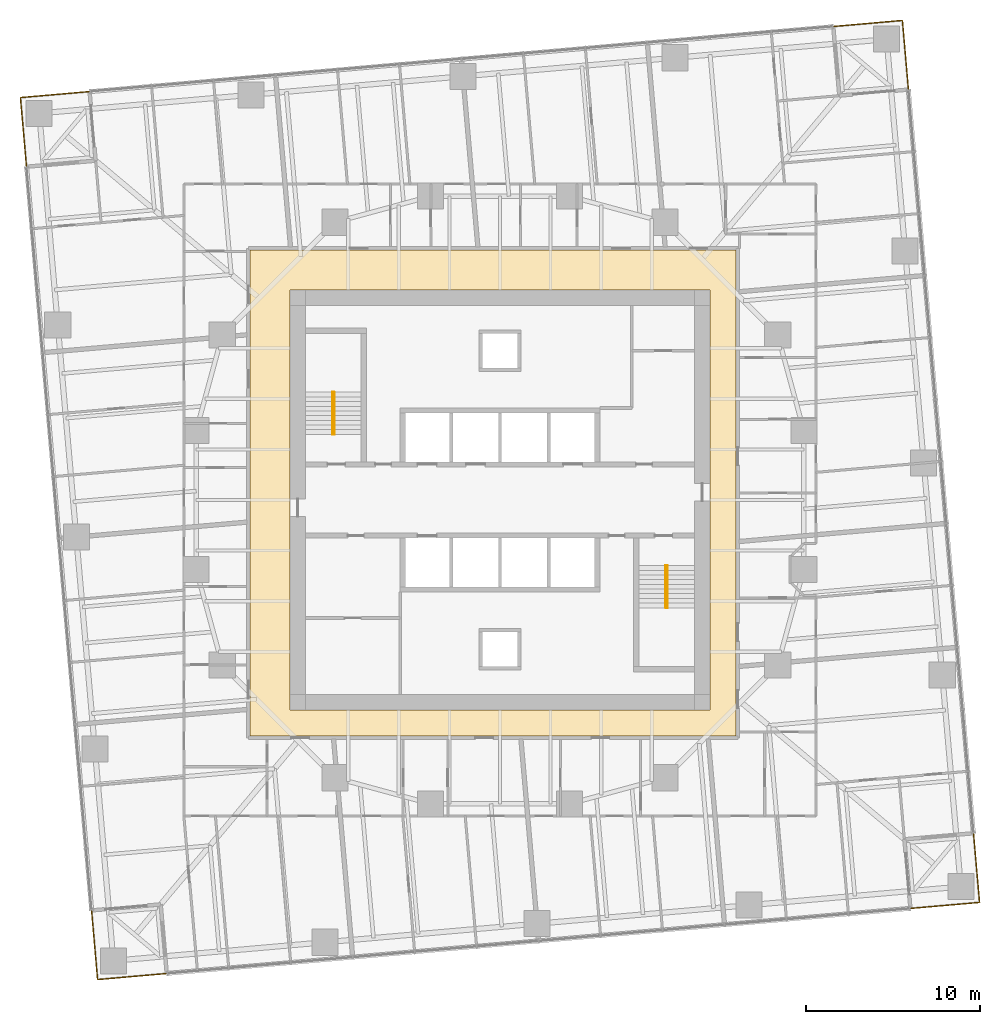
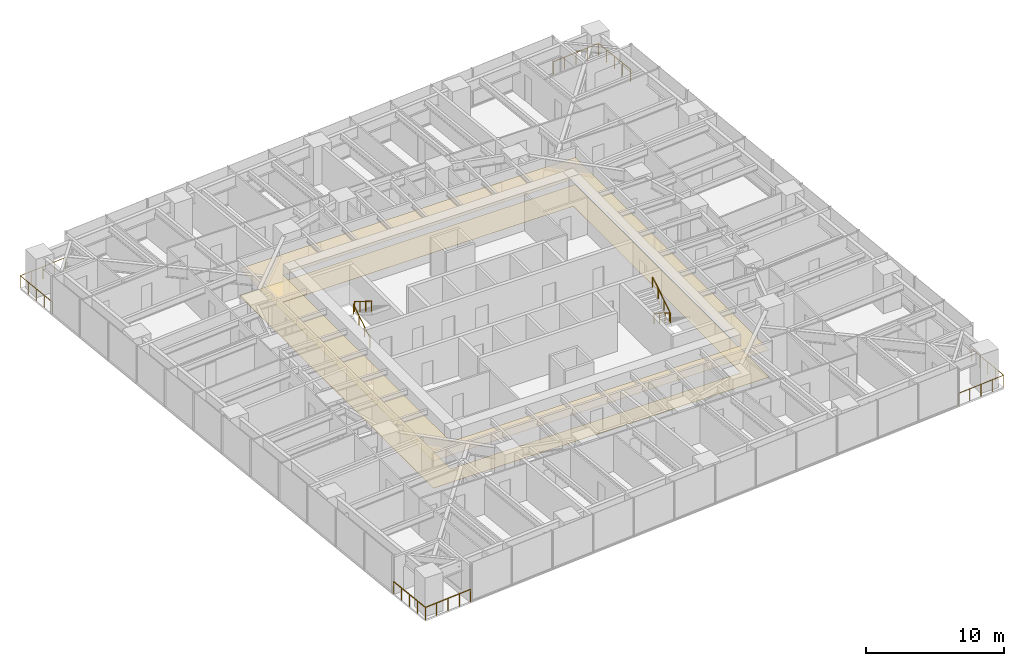
# One storey, part 14 of 14: 8 railings, 2 coverings, 2 elements without a shape of their own.
"""IFC4 building model written with IfcOpenShell, lengths in metres."""

from ifc_helpers import new_model, si_unit, direction, frame, origin, origin_2d, place, context, subcontext, project, spatial, polyline, circle, outline, extrude, material, layer, layer_set, type_object, element, aggregate, save


model = new_model("IFC4")

# Units and contexts
model_context = context("Model", 3, precision=1e-05, world=origin(), true_north=direction((0.0, 1.0)))
body_context = subcontext(model_context, "Body", "Model", "MODEL_VIEW")
ifc_project = project(units=[si_unit("LENGTHUNIT", "METRE"), si_unit("AREAUNIT", "SQUARE_METRE"), si_unit("VOLUMEUNIT", "CUBIC_METRE"), si_unit("PLANEANGLEUNIT", "RADIAN"), si_unit("MASSUNIT", "GRAM", prefix="KILO")], contexts=[model_context])

# Site, building, storey
site_placement = place(None, origin())
site = spatial("IfcSite", under=ifc_project, at=site_placement, CompositionType="ELEMENT")
building_placement = place(site_placement, origin())
building = spatial("IfcBuilding", under=site, at=building_placement, Name="Torsade Residences", CompositionType="ELEMENT")
storey_placement = place(building_placement, frame((0.0, 0.0, 67.60009765625)))
storey = spatial("IfcBuildingStorey", under=building, at=storey_placement, Name="L18", CompositionType="ELEMENT", Elevation=67.60009765625)

# Coverings
ifc_material_1 = material(Name="Nylon carpet tile on underlay", Category="textile")
ifc_layer_1 = layer(ifc_material_1, 0.010009765625)
ifc_layer_set_1 = layer_set([ifc_layer_1], Name="Nylon carpet tile on underlay")
covering_type_1 = type_object("IfcCoveringType", Name="CORRIDOR CARPET TILE 10", PredefinedType="FLOORING", material=ifc_layer_set_1)
covering_1_placement = place(storey_placement, origin())
element("IfcCovering", 1, at=covering_1_placement, inside=storey, type_object=covering_type_1, Name="Corridor carpet L18", PredefinedType="FLOORING", context=body_context, shape_type="SweptSolid", body=[
    extrude(outline(polyline([(53.60009765625, 16.39990234375), (53.60009765625, 44.39990234375), (25.60009765625, 44.39990234375), (25.60009765625, 16.39990234375), (53.60009765625, 16.39990234375)]), holes=[polyline([(52.10009765625, 42.10009765625), (27.89990234375, 42.10009765625), (27.89990234375, 17.89990234375), (52.10009765625, 17.89990234375), (52.10009765625, 42.10009765625)])]), origin(), (0.0, 0.0, 1.0), 0.010009765625),
])
ifc_material_2 = material(Name="Plasterboard on suspended steel grid", Category="steel")
ifc_layer_2 = layer(ifc_material_2, 0.012939453125)
ifc_layer_set_2 = layer_set([ifc_layer_2], Name="Plasterboard on suspended steel grid")
covering_type_2 = type_object("IfcCoveringType", Name="CORRIDOR SUSPENDED CEILING 13", PredefinedType="CEILING", material=ifc_layer_set_2)
covering_2_placement = place(storey_placement, frame((0.0, 0.0, 2.39990234375)))
element("IfcCovering", 2, at=covering_2_placement, inside=storey, type_object=covering_type_2, Name="Corridor ceiling L18", PredefinedType="CEILING", context=body_context, shape_type="SweptSolid", body=[
    extrude(outline(polyline([(53.60009765625, 16.39990234375), (53.60009765625, 44.39990234375), (25.60009765625, 44.39990234375), (25.60009765625, 16.39990234375), (53.60009765625, 16.39990234375)]), holes=[polyline([(52.10009765625, 42.10009765625), (27.89990234375, 42.10009765625), (27.89990234375, 17.89990234375), (52.10009765625, 17.89990234375), (52.10009765625, 42.10009765625)])]), origin(), (0.0, 0.0, 1.0), 0.012939453125),
])

# Stair, railings
ifc_material_3 = material(Name="Precast concrete 40 MPa", Category="concrete")
stair_type = type_object("IfcStairType", Name="HALF-TURN FIRE STAIR 1500x3400", PredefinedType="HALF_TURN_STAIR", material=ifc_material_3)
stair_1_placement = place(storey_placement, origin())
stair_1 = element("IfcStair", 3, at=stair_1_placement, inside=storey, type_object=stair_type, Name="Stair ST1 L18", PredefinedType="HALF_TURN_STAIR")
ifc_material_4 = material(Name="Steel handrail", Category="steel")
railing_type_1 = type_object("IfcRailingType", Name="STAIR HANDRAIL 900", PredefinedType="HANDRAIL", material=ifc_material_4)
railing_1_placement = place(storey_placement, frame((30.35009765625, 33.780029296875, 0.169921875)))
railing_1 = element("IfcRailing", 4, at=railing_1_placement, type_object=railing_type_1, Name="Handrail ST1 flight 1 L18", PredefinedType="HANDRAIL", context=body_context, shape_type="SweptSolid", body=[
    extrude(circle(Radius=0.02392578125, at=origin_2d()), frame((0.0, 0.0, 0.8759765625), z_axis=(0.0, 0.846221481393, 0.532831309544), x_axis=(-1.0, 0.0, 0.0)), (0.0, 0.0, 1.0), 2.87158203125),
    extrude(circle(Radius=0.02099609375, at=origin_2d()), origin(), (0.0, 0.0, 1.0), 0.851806640625),
    extrude(circle(Radius=0.02099609375, at=origin_2d()), frame((0.0, 0.81005859375, 0.510009765625)), (0.0, 0.0, 1.0), 0.851806640625),
    extrude(circle(Radius=0.02099609375, at=origin_2d()), frame((0.0, 1.619873046875, 1.02001953125)), (0.0, 0.0, 1.0), 0.851806640625),
    extrude(circle(Radius=0.02099609375, at=origin_2d()), frame((0.0, 2.429931640625, 1.530029296875)), (0.0, 0.0, 1.0), 0.851806640625),
])
railing_2_placement = place(storey_placement, frame((30.449951171875, 36.2099609375, 1.869873046875)))
railing_2 = element("IfcRailing", 5, at=railing_2_placement, type_object=railing_type_1, Name="Handrail ST1 flight 2 L18", PredefinedType="HANDRAIL", context=body_context, shape_type="SweptSolid", body=[
    extrude(circle(Radius=0.02392578125, at=origin_2d()), frame((0.0, 0.0, 0.8759765625), z_axis=(0.0, -0.846221481393, 0.532831309544), x_axis=(1.0, 0.0, 0.0)), (0.0, 0.0, 1.0), 2.87158203125),
    extrude(circle(Radius=0.02099609375, at=origin_2d()), origin(), (0.0, 0.0, 1.0), 0.851806640625),
    extrude(circle(Radius=0.02099609375, at=origin_2d()), frame((0.0, -0.81005859375, 0.510009765625)), (0.0, 0.0, 1.0), 0.851806640625),
    extrude(circle(Radius=0.02099609375, at=origin_2d()), frame((0.0, -1.619873046875, 1.02001953125)), (0.0, 0.0, 1.0), 0.851806640625),
    extrude(circle(Radius=0.02099609375, at=origin_2d()), frame((0.0, -2.429931640625, 1.530029296875)), (0.0, 0.0, 1.0), 0.851806640625),
])
aggregate(stair_1, [railing_1, railing_2])

stair_2_placement = place(storey_placement, origin())
stair_2 = element("IfcStair", 6, at=stair_2_placement, inside=storey, type_object=stair_type, Name="Stair ST2 L18", PredefinedType="HALF_TURN_STAIR")
railing_3_placement = place(storey_placement, frame((49.64990234375, 26.219970703125, 0.169921875)))
railing_3 = element("IfcRailing", 7, at=railing_3_placement, type_object=railing_type_1, Name="Handrail ST2 flight 1 L18", PredefinedType="HANDRAIL", context=body_context, shape_type="SweptSolid", body=[
    extrude(circle(Radius=0.02392578125, at=origin_2d()), frame((0.0, 0.0, 0.8759765625), z_axis=(0.0, -0.846221481393, 0.532831309544), x_axis=(1.0, 0.0, 0.0)), (0.0, 0.0, 1.0), 2.87158203125),
    extrude(circle(Radius=0.02099609375, at=origin_2d()), origin(), (0.0, 0.0, 1.0), 0.851806640625),
    extrude(circle(Radius=0.02099609375, at=origin_2d()), frame((0.0, -0.81005859375, 0.510009765625)), (0.0, 0.0, 1.0), 0.851806640625),
    extrude(circle(Radius=0.02099609375, at=origin_2d()), frame((0.0, -1.619873046875, 1.02001953125)), (0.0, 0.0, 1.0), 0.851806640625),
    extrude(circle(Radius=0.02099609375, at=origin_2d()), frame((0.0, -2.429931640625, 1.530029296875)), (0.0, 0.0, 1.0), 0.851806640625),
])
railing_4_placement = place(storey_placement, frame((49.550048828125, 23.7900390625, 1.869873046875)))
railing_4 = element("IfcRailing", 8, at=railing_4_placement, type_object=railing_type_1, Name="Handrail ST2 flight 2 L18", PredefinedType="HANDRAIL", context=body_context, shape_type="SweptSolid", body=[
    extrude(circle(Radius=0.02392578125, at=origin_2d()), frame((0.0, 0.0, 0.8759765625), z_axis=(0.0, 0.846221481393, 0.532831309544), x_axis=(-1.0, 0.0, 0.0)), (0.0, 0.0, 1.0), 2.87158203125),
    extrude(circle(Radius=0.02099609375, at=origin_2d()), origin(), (0.0, 0.0, 1.0), 0.851806640625),
    extrude(circle(Radius=0.02099609375, at=origin_2d()), frame((0.0, 0.81005859375, 0.510009765625)), (0.0, 0.0, 1.0), 0.851806640625),
    extrude(circle(Radius=0.02099609375, at=origin_2d()), frame((0.0, 1.619873046875, 1.02001953125)), (0.0, 0.0, 1.0), 0.851806640625),
    extrude(circle(Radius=0.02099609375, at=origin_2d()), frame((0.0, 2.429931640625, 1.530029296875)), (0.0, 0.0, 1.0), 0.851806640625),
])
aggregate(stair_2, [railing_3, railing_4])

# Railings
ifc_material_5 = material(Name="Laminated glass balustrade", Category="glass")
railing_type_2 = type_object("IfcRailingType", Name="TERRACE GLASS BALUSTRADE 1100", PredefinedType="BALUSTRADE", material=ifc_material_5)
railing_5_placement = place(storey_placement, frame((63.640625, 6.470947265625, 0.0)))
element("IfcRailing", 9, at=railing_5_placement, inside=storey, type_object=railing_type_2, Name="Terrace balustrade SE L18", PredefinedType="BALUSTRADE", context=body_context, shape_type="SweptSolid", body=[
    extrude(circle(Radius=0.02392578125, at=origin_2d()), frame((0.0, 0.0, 1.076171875), z_axis=(0.99619464492, 0.087156350505, 0.0), x_axis=(-0.087156350505, 0.99619464492, 0.0)), (0.0, 0.0, 1.0), 4.0),
    extrude(circle(Radius=0.02392578125, at=origin_2d()), frame((3.98486328125, 0.3486328125, 1.076171875), z_axis=(-0.087161650072, 0.99619418125, 0.0), x_axis=(-0.99619418125, -0.087161650072, 0.0)), (0.0, 0.0, 1.0), 3.999755859375),
    extrude(circle(Radius=0.02099609375, at=origin_2d()), origin(), (0.0, 0.0, 1.0), 1.052001953125),
    extrude(circle(Radius=0.02099609375, at=origin_2d()), frame((0.99609375, 0.087158203125, 0.0)), (0.0, 0.0, 1.0), 1.052001953125),
    extrude(circle(Radius=0.02099609375, at=origin_2d()), frame((1.992431640625, 0.17431640625, 0.0)), (0.0, 0.0, 1.0), 1.052001953125),
    extrude(circle(Radius=0.02099609375, at=origin_2d()), frame((2.98876953125, 0.261474609375, 0.0)), (0.0, 0.0, 1.0), 1.052001953125),
    extrude(circle(Radius=0.02099609375, at=origin_2d()), frame((3.98486328125, 0.3486328125, 0.0)), (0.0, 0.0, 1.0), 1.052001953125),
    extrude(circle(Radius=0.02099609375, at=origin_2d()), frame((3.897705078125, 1.3447265625, 0.0)), (0.0, 0.0, 1.0), 1.052001953125),
    extrude(circle(Radius=0.02099609375, at=origin_2d()), frame((3.810546875, 2.3408203125, 0.0)), (0.0, 0.0, 1.0), 1.052001953125),
    extrude(circle(Radius=0.02099609375, at=origin_2d()), frame((3.723388671875, 3.337158203125, 0.0)), (0.0, 0.0, 1.0), 1.052001953125),
    extrude(circle(Radius=0.02099609375, at=origin_2d()), frame((3.63623046875, 4.333251953125, 0.0)), (0.0, 0.0, 1.0), 1.052001953125),
])
railing_6_placement = place(storey_placement, frame((63.529052734375, 53.640625, 0.0)))
element("IfcRailing", 10, at=railing_6_placement, inside=storey, type_object=railing_type_2, Name="Terrace balustrade NE L18", PredefinedType="BALUSTRADE", context=body_context, shape_type="SweptSolid", body=[
    extrude(circle(Radius=0.02392578125, at=origin_2d()), frame((0.0, 0.0, 1.076171875), z_axis=(-0.087156350505, 0.99619464492, 0.0), x_axis=(-0.99619464492, -0.087156350505, 0.0)), (0.0, 0.0, 1.0), 4.0),
    extrude(circle(Radius=0.02392578125, at=origin_2d()), frame((-0.3486328125, 3.98486328125, 1.076171875), z_axis=(-0.99619418125, -0.087161650072, 0.0), x_axis=(0.087161650072, -0.99619418125, 0.0)), (0.0, 0.0, 1.0), 3.999755859375),
    extrude(circle(Radius=0.02099609375, at=origin_2d()), origin(), (0.0, 0.0, 1.0), 1.052001953125),
    extrude(circle(Radius=0.02099609375, at=origin_2d()), frame((-0.087158203125, 0.99609375, 0.0)), (0.0, 0.0, 1.0), 1.052001953125),
    extrude(circle(Radius=0.02099609375, at=origin_2d()), frame((-0.17431640625, 1.992431640625, 0.0)), (0.0, 0.0, 1.0), 1.052001953125),
    extrude(circle(Radius=0.02099609375, at=origin_2d()), frame((-0.261474609375, 2.98876953125, 0.0)), (0.0, 0.0, 1.0), 1.052001953125),
    extrude(circle(Radius=0.02099609375, at=origin_2d()), frame((-0.3486328125, 3.98486328125, 0.0)), (0.0, 0.0, 1.0), 1.052001953125),
    extrude(circle(Radius=0.02099609375, at=origin_2d()), frame((-1.3447265625, 3.897705078125, 0.0)), (0.0, 0.0, 1.0), 1.052001953125),
    extrude(circle(Radius=0.02099609375, at=origin_2d()), frame((-2.3408203125, 3.810546875, 0.0)), (0.0, 0.0, 1.0), 1.052001953125),
    extrude(circle(Radius=0.02099609375, at=origin_2d()), frame((-3.337158203125, 3.723388671875, 0.0)), (0.0, 0.0, 1.0), 1.052001953125),
    extrude(circle(Radius=0.02099609375, at=origin_2d()), frame((-4.333251953125, 3.63623046875, 0.0)), (0.0, 0.0, 1.0), 1.052001953125),
])
railing_7_placement = place(storey_placement, frame((16.359375, 53.529052734375, 0.0)))
element("IfcRailing", 11, at=railing_7_placement, inside=storey, type_object=railing_type_2, Name="Terrace balustrade NW L18", PredefinedType="BALUSTRADE", context=body_context, shape_type="SweptSolid", body=[
    extrude(circle(Radius=0.02392578125, at=origin_2d()), frame((0.0, 0.0, 1.076171875), z_axis=(-0.99619464492, -0.087156350505, 0.0), x_axis=(0.087156350505, -0.99619464492, 0.0)), (0.0, 0.0, 1.0), 4.0),
    extrude(circle(Radius=0.02392578125, at=origin_2d()), frame((-3.98486328125, -0.3486328125, 1.076171875), z_axis=(0.087161650072, -0.99619418125, 0.0), x_axis=(0.99619418125, 0.087161650072, 0.0)), (0.0, 0.0, 1.0), 3.999755859375),
    extrude(circle(Radius=0.02099609375, at=origin_2d()), origin(), (0.0, 0.0, 1.0), 1.052001953125),
    extrude(circle(Radius=0.02099609375, at=origin_2d()), frame((-0.99609375, -0.087158203125, 0.0)), (0.0, 0.0, 1.0), 1.052001953125),
    extrude(circle(Radius=0.02099609375, at=origin_2d()), frame((-1.992431640625, -0.17431640625, 0.0)), (0.0, 0.0, 1.0), 1.052001953125),
    extrude(circle(Radius=0.02099609375, at=origin_2d()), frame((-2.98876953125, -0.261474609375, 0.0)), (0.0, 0.0, 1.0), 1.052001953125),
    extrude(circle(Radius=0.02099609375, at=origin_2d()), frame((-3.98486328125, -0.3486328125, 0.0)), (0.0, 0.0, 1.0), 1.052001953125),
    extrude(circle(Radius=0.02099609375, at=origin_2d()), frame((-3.897705078125, -1.3447265625, 0.0)), (0.0, 0.0, 1.0), 1.052001953125),
    extrude(circle(Radius=0.02099609375, at=origin_2d()), frame((-3.810546875, -2.3408203125, 0.0)), (0.0, 0.0, 1.0), 1.052001953125),
    extrude(circle(Radius=0.02099609375, at=origin_2d()), frame((-3.723388671875, -3.337158203125, 0.0)), (0.0, 0.0, 1.0), 1.052001953125),
    extrude(circle(Radius=0.02099609375, at=origin_2d()), frame((-3.63623046875, -4.333251953125, 0.0)), (0.0, 0.0, 1.0), 1.052001953125),
])
railing_8_placement = place(storey_placement, frame((16.470947265625, 6.359375, 0.0)))
element("IfcRailing", 12, at=railing_8_placement, inside=storey, type_object=railing_type_2, Name="Terrace balustrade SW L18", PredefinedType="BALUSTRADE", context=body_context, shape_type="SweptSolid", body=[
    extrude(circle(Radius=0.02392578125, at=origin_2d()), frame((0.0, 0.0, 1.076171875), z_axis=(0.087156350505, -0.99619464492, 0.0), x_axis=(0.99619464492, 0.087156350505, 0.0)), (0.0, 0.0, 1.0), 4.0),
    extrude(circle(Radius=0.02392578125, at=origin_2d()), frame((0.3486328125, -3.98486328125, 1.076171875), z_axis=(0.99619418125, 0.087161650072, 0.0), x_axis=(-0.087161650072, 0.99619418125, 0.0)), (0.0, 0.0, 1.0), 3.999755859375),
    extrude(circle(Radius=0.02099609375, at=origin_2d()), origin(), (0.0, 0.0, 1.0), 1.052001953125),
    extrude(circle(Radius=0.02099609375, at=origin_2d()), frame((0.087158203125, -0.99609375, 0.0)), (0.0, 0.0, 1.0), 1.052001953125),
    extrude(circle(Radius=0.02099609375, at=origin_2d()), frame((0.17431640625, -1.992431640625, 0.0)), (0.0, 0.0, 1.0), 1.052001953125),
    extrude(circle(Radius=0.02099609375, at=origin_2d()), frame((0.261474609375, -2.98876953125, 0.0)), (0.0, 0.0, 1.0), 1.052001953125),
    extrude(circle(Radius=0.02099609375, at=origin_2d()), frame((0.3486328125, -3.98486328125, 0.0)), (0.0, 0.0, 1.0), 1.052001953125),
    extrude(circle(Radius=0.02099609375, at=origin_2d()), frame((1.3447265625, -3.897705078125, 0.0)), (0.0, 0.0, 1.0), 1.052001953125),
    extrude(circle(Radius=0.02099609375, at=origin_2d()), frame((2.3408203125, -3.810546875, 0.0)), (0.0, 0.0, 1.0), 1.052001953125),
    extrude(circle(Radius=0.02099609375, at=origin_2d()), frame((3.337158203125, -3.723388671875, 0.0)), (0.0, 0.0, 1.0), 1.052001953125),
    extrude(circle(Radius=0.02099609375, at=origin_2d()), frame((4.333251953125, -3.63623046875, 0.0)), (0.0, 0.0, 1.0), 1.052001953125),
])

save(model, "model.ifc")
